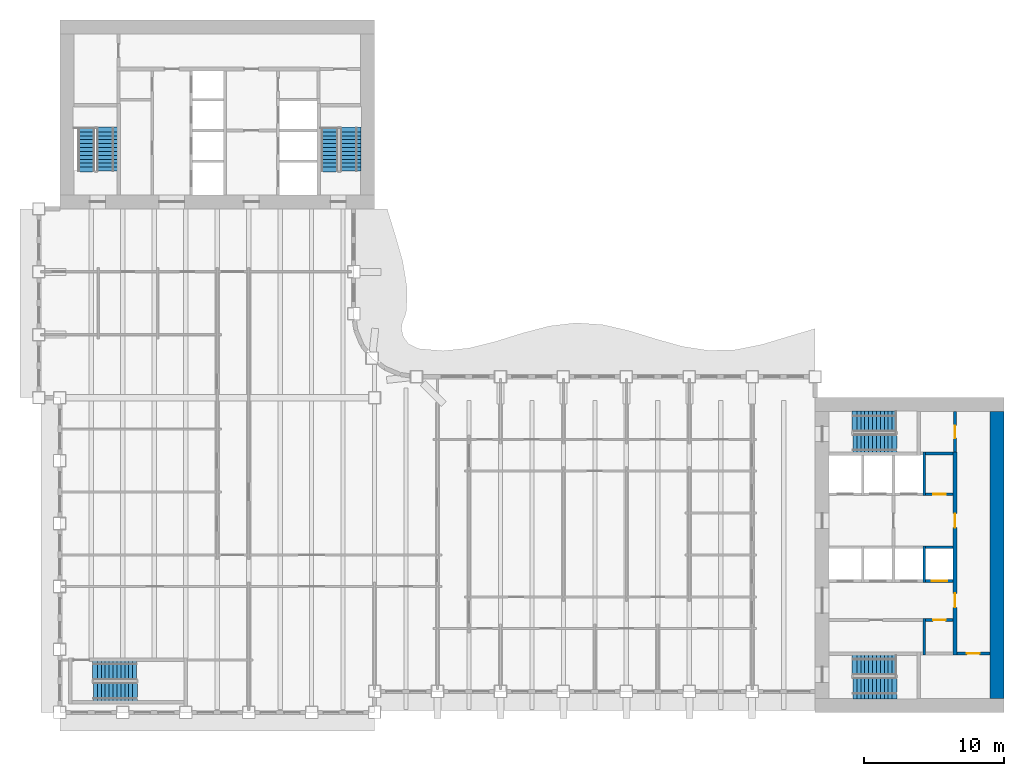
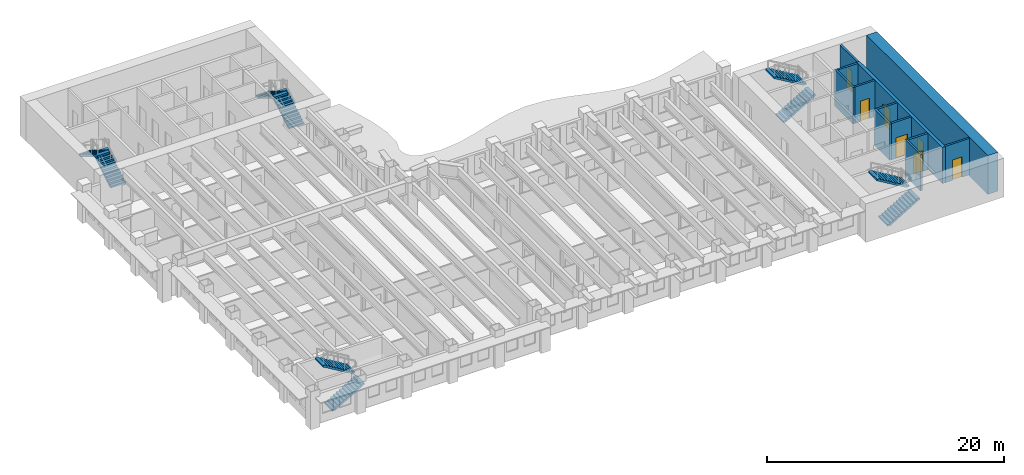
# One storey, part 10 of 16: 12 walls, 10 stair flights, 7 doors, 7 openings, 5 elements without a shape of their own.
"""IFC4 building model written with IfcOpenShell, lengths in metres."""

import ifcopenshell
import ifcopenshell.guid

model = None  # the IFC model being written
_history = None  # IfcOwnerHistory: only IFC2X3 demands one
_inside = {}  # id of a spatial element -> (the spatial element, [elements in it])
_under = {}  # id of a project, library or spatial element -> (it, [spatial elements below it])
_declared = {}  # id of a project -> (the project, [libraries it declares])
_typed = {}  # id of a type object -> (the type object, [elements of that type])
_made_of = {}  # id of a material, layer set ... -> (it, [elements and type objects made of it])


def new_model(schema):
    """Start an empty IFC model of exactly this schema.

    Asked for "IFC4X3", IfcOpenShell would pick the latest addendum, in which some entities
    have other attributes; the version numbers below select the first issue.
    IFC2X3 requires an IfcOwnerHistory on every rooted entity: one is made here for all.
    """
    global model, _history
    if schema == "IFC4X3":
        model = ifcopenshell.file(schema_version=(4, 3, 0, 0))
    else:
        model = ifcopenshell.file(schema=schema)
    _inside.clear()
    _under.clear()
    _declared.clear()
    _typed.clear()
    _made_of.clear()
    _history = None
    if model.schema == "IFC2X3":
        org = make("IfcOrganization", Name="unknown")
        user = make(
            "IfcPersonAndOrganization",
            ThePerson=make("IfcPerson", FamilyName="unknown"),
            TheOrganization=org,
        )
        app = make(
            "IfcApplication",
            ApplicationDeveloper=org,
            Version="unknown",
            ApplicationFullName="unknown",
            ApplicationIdentifier="unknown",
        )
        _history = make(
            "IfcOwnerHistory",
            OwningUser=user,
            OwningApplication=app,
            ChangeAction="ADDED",
            CreationDate=0,
        )
    return model


def make(cls, **values):
    """One entity of the class cls with the attributes given. An attribute that is None is left unset."""
    return model.create_entity(
        cls, **{name: value for name, value in values.items() if value is not None}
    )


def rooted(cls, **values):
    """An entity with a GlobalId (a new one), such as an element, a storey or a relation."""
    return make(cls, GlobalId=ifcopenshell.guid.new(), OwnerHistory=_history, **values)


def si_unit(unit_type, name, prefix=None):
    """IfcSIUnit, for example si_unit("LENGTHUNIT", "METRE", prefix="MILLI")."""
    return make("IfcSIUnit", UnitType=unit_type, Prefix=prefix, Name=name)


def assignment(units):
    """IfcUnitAssignment: the units of a project."""
    return None if units is None else make("IfcUnitAssignment", Units=units)


def point(xyz):
    """IfcCartesianPoint."""
    return None if xyz is None else make("IfcCartesianPoint", Coordinates=xyz)


def direction(xyz):
    """IfcDirection."""
    return None if xyz is None else make("IfcDirection", DirectionRatios=xyz)


def frame(location, z_axis=None, x_axis=None):
    """IfcAxis2Placement3D, a coordinate frame: its origin and axes. An axis left out is left unset."""
    return make(
        "IfcAxis2Placement3D",
        Location=point(location),
        Axis=direction(z_axis),
        RefDirection=direction(x_axis),
    )


def frame_2d(location, x_axis=None):
    """IfcAxis2Placement2D, a coordinate frame in the plane: its origin and x axis."""
    return make(
        "IfcAxis2Placement2D", Location=point(location), RefDirection=direction(x_axis)
    )


def origin():
    """The frame at (0, 0, 0) with its axes left unset."""
    return frame((0.0, 0.0, 0.0))


def place(relative_to, where):
    """IfcLocalPlacement: puts the frame where relative to a parent placement (None: the world)."""
    return make(
        "IfcLocalPlacement", PlacementRelTo=relative_to, RelativePlacement=where
    )


def context(
    kind, dimensions, precision=None, world=None, true_north=None, identifier=None
):
    """IfcGeometricRepresentationContext, for example the 3D "Model" context."""
    return make(
        "IfcGeometricRepresentationContext",
        ContextIdentifier=identifier,
        ContextType=kind,
        CoordinateSpaceDimension=dimensions,
        Precision=precision,
        WorldCoordinateSystem=world,
        TrueNorth=true_north,
    )


def subcontext(parent, identifier, kind, view, scale=None):
    """IfcGeometricRepresentationSubContext, for example "Body" below "Model"."""
    return make(
        "IfcGeometricRepresentationSubContext",
        ContextIdentifier=identifier,
        ContextType=kind,
        ParentContext=parent,
        TargetScale=scale,
        TargetView=view,
    )


def project(units=None, contexts=None):
    """IfcProject with its units and contexts."""
    return rooted(
        "IfcProject",
        Name="project",
        RepresentationContexts=contexts,
        UnitsInContext=assignment(units),
    )


def spatial(cls, under=None, at=None, **own):
    """A site, building, storey or space (cls), placed at a placement, below another one or the project."""
    s = rooted(cls, ObjectPlacement=at, **own)
    if under is not None:
        _under.setdefault(under.id(), (under, []))[1].append(s)
    return s


def polyline(points):
    """IfcPolyline through the points."""
    return make("IfcPolyline", Points=[point(p) for p in points])


def profile(cls, at=None, kind="AREA", **sizes):
    """A parametric profile (cls). Its sizes go by their IFC names, for example OverallWidth=200.0."""
    return make(cls, ProfileType=kind, Position=at, **sizes)


def rectangle(**sizes):
    """IfcRectangleProfileDef."""
    return profile("IfcRectangleProfileDef", **sizes)


def outline(outer, holes=None, kind="AREA"):
    """IfcArbitraryClosedProfileDef: a profile drawn as a closed curve; with holes, ...WithVoids."""
    if holes is None:
        return make("IfcArbitraryClosedProfileDef", ProfileType=kind, OuterCurve=outer)
    return make(
        "IfcArbitraryProfileDefWithVoids",
        ProfileType=kind,
        OuterCurve=outer,
        InnerCurves=holes,
    )


def extrude(swept, where, along, depth):
    """IfcExtrudedAreaSolid: the profile swept, set in the frame where, extruded along a direction by depth."""
    return make(
        "IfcExtrudedAreaSolid",
        SweptArea=swept,
        Position=where,
        ExtrudedDirection=direction(along),
        Depth=depth,
    )


def shape(context_of_items, identifier, shape_type, items):
    """IfcShapeRepresentation: the items that make up one representation, for example the "Body"."""
    return make(
        "IfcShapeRepresentation",
        ContextOfItems=context_of_items,
        RepresentationIdentifier=identifier,
        RepresentationType=shape_type,
        Items=items,
    )


def material(Name=None, Category=None):
    """IfcMaterial."""
    return make("IfcMaterial", Name=Name, Category=Category)


def layer(
    of_material, thickness, ventilated=None, Name=None, Category=None, Priority=None
):
    """IfcMaterialLayer: one layer of a wall or slab, of a material (None: an air gap)."""
    return make(
        "IfcMaterialLayer",
        Material=of_material,
        LayerThickness=thickness,
        IsVentilated=ventilated,
        Name=Name,
        Category=Category,
        Priority=Priority,
    )


def layer_set(layers, Name=None):
    """IfcMaterialLayerSet."""
    return make("IfcMaterialLayerSet", MaterialLayers=layers, LayerSetName=Name)


def made_of(thing, what):
    """Note that an element or type object is made of a material, layer set ...; save() writes the relation."""
    if what is not None:
        _made_of.setdefault(what.id(), (what, []))[1].append(thing)
    return thing


def type_object(cls, material=None, **own):
    """A type object (cls), such as IfcWallType, which elements share."""
    return made_of(rooted(cls, **own), material)


def element(
    cls,
    number,
    at=None,
    inside=None,
    cuts=None,
    type_object=None,
    material=None,
    context=None,
    identifier="Body",
    shape_type=None,
    held_by="IfcProductDefinitionShape",
    body=None,
    shapes=None,
    **own,
):
    """One element of the class cls, such as IfcWall. Its Tag is "e" and its number.

    at: its placement. inside: the storey or other place that contains it. cuts: it is an
    opening in that element (IfcRelVoidsElement). A single representation is given by context,
    identifier, shape_type and body (its items); several are given by shapes. held_by: the class
    of the entity that holds the representations. save() writes the other relations.
    """
    e = rooted(cls, Tag="e%d" % number, ObjectPlacement=at, **own)
    if body is not None:
        shapes = [shape(context, identifier, shape_type, body)]
    if shapes is not None:
        e.Representation = make(held_by, Representations=shapes)
    if inside is not None:
        _inside.setdefault(inside.id(), (inside, []))[1].append(e)
    if cuts is not None:
        rooted(
            "IfcRelVoidsElement", RelatingBuildingElement=cuts, RelatedOpeningElement=e
        )
    if type_object is not None:
        _typed.setdefault(type_object.id(), (type_object, []))[1].append(e)
    return made_of(e, material)


def fill(opening, filler):
    """IfcRelFillsElement: the door or window that sits in an opening."""
    return rooted(
        "IfcRelFillsElement",
        RelatingOpeningElement=opening,
        RelatedBuildingElement=filler,
    )


def aggregate(whole, parts):
    """IfcRelAggregates: a whole, such as a stair, and the parts it consists of."""
    return rooted("IfcRelAggregates", RelatingObject=whole, RelatedObjects=parts)


def save(model, path):
    """Write the relations noted so far, then the file.

    IfcRelAggregates (storeys below a building ...), IfcRelContainedInSpatialStructure (elements
    in a storey), IfcRelDefinesByType, IfcRelAssociatesMaterial and IfcRelDeclares: one each for
    every whole, place, type object, material and project.
    """
    for whole, parts in _under.values():
        aggregate(whole, parts)
    for where, things in _inside.values():
        rooted(
            "IfcRelContainedInSpatialStructure",
            RelatedElements=things,
            RelatingStructure=where,
        )
    for kind, things in _typed.values():
        rooted("IfcRelDefinesByType", RelatedObjects=things, RelatingType=kind)
    for what, things in _made_of.values():
        rooted("IfcRelAssociatesMaterial", RelatedObjects=things, RelatingMaterial=what)
    for by, libraries in _declared.values():
        rooted("IfcRelDeclares", RelatingContext=by, RelatedDefinitions=libraries)
    model.write(path)


model = new_model("IFC4")

# Units and contexts
model_context = context("Model", 3, precision=1e-05, world=origin(), true_north=direction((0.0, 1.0)))
body_context = subcontext(model_context, "Body", "Model", "MODEL_VIEW")
ifc_project = project(units=[si_unit("LENGTHUNIT", "METRE"), si_unit("AREAUNIT", "SQUARE_METRE"), si_unit("VOLUMEUNIT", "CUBIC_METRE"), si_unit("PLANEANGLEUNIT", "RADIAN"), si_unit("MASSUNIT", "GRAM", prefix="KILO")], contexts=[model_context])

# Site, building, storey
site_placement = place(None, origin())
site = spatial("IfcSite", under=ifc_project, at=site_placement, CompositionType="ELEMENT")
building_placement = place(site_placement, origin())
building = spatial("IfcBuilding", under=site, at=building_placement, Name="Sennacour Bend Tower", CompositionType="ELEMENT")
storey_placement = place(building_placement, frame((0.0, 0.0, 183.0)))
storey = spatial("IfcBuildingStorey", under=building, at=storey_placement, Name="L42", CompositionType="ELEMENT", Elevation=183.0)

# Walls
ifc_material_1 = material(Name="Concrete C60/75", Category="concrete")
ifc_layer_1 = layer(ifc_material_1, 1.0, Name="Concrete C60/75", Category="concrete")
ifc_layer_set_1 = layer_set([ifc_layer_1], Name="Concrete C60/75")
wall_type_1 = type_object("IfcWallType", Name="Core wall 1000 C60/75", PredefinedType="SHEAR", material=ifc_layer_set_1)
wall_1_placement = place(storey_placement, frame((67.0, 1.0, -0.14990234375), z_axis=(0.0, 0.0, 1.0), x_axis=(0.0, 1.0, 0.0)))
element("IfcWall", 1, at=wall_1_placement, inside=storey, type_object=wall_type_1, Name="Core A wall L42 E", PredefinedType="SHEAR", context=body_context, shape_type="SweptSolid", body=[
    extrude(rectangle(XDim=20.5, YDim=1.0, at=frame_2d((10.25, 0.0))), origin(), (0.0, 0.0, 1.0), 4.0),
])
ifc_material_2 = material(Name="Fire-rated plasterboard partition on steel studs", Category="steel")
ifc_layer_2 = layer(ifc_material_2, 0.199951171875, Name="Fire-rated plasterboard partition on steel studs", Category="steel")
ifc_layer_set_2 = layer_set([ifc_layer_2], Name="Fire-rated plasterboard partition on steel studs")
wall_type_2 = type_object("IfcWallType", Name="Rated partition 200", PredefinedType="PARTITIONING", material=ifc_layer_set_2)
wall_2_placement = place(storey_placement, frame((61.800048828125, 4.10009765625, 0.0), z_axis=(0.0, 0.0, 1.0), x_axis=(0.0, 1.0, 0.0)))
element("IfcWall", 2, at=wall_2_placement, inside=storey, type_object=wall_type_2, Name="P-L42-W043", PredefinedType="PARTITIONING", context=body_context, shape_type="SweptSolid", body=[
    extrude(rectangle(XDim=2.599853515625, YDim=0.199951171875, at=frame_2d((1.2998046875, 0.0))), origin(), (0.0, 0.0, 1.0), 3.75),
])

# Wall, opening, door
wall_3_placement = place(storey_placement, frame((64.0, 18.60009765625, 0.0), z_axis=(0.0, 0.0, 1.0), x_axis=(0.0, 1.0, 0.0)))
wall_3 = element("IfcWall", 3, at=wall_3_placement, inside=storey, type_object=wall_type_2, Name="P-L42-W047", PredefinedType="PARTITIONING", context=body_context, shape_type="SweptSolid", body=[
    extrude(rectangle(XDim=2.89990234375, YDim=0.199951171875, at=frame_2d((1.449951171875, 0.0))), origin(), (0.0, 0.0, 1.0), 3.75),
])
opening_1_placement = place(wall_3_placement, frame((1.0, 0.0, 0.0)))
opening_1 = element("IfcOpeningElement", 4, at=opening_1_placement, cuts=wall_3, Name="Opening SV", PredefinedType="OPENING", context=body_context, shape_type="SweptSolid", body=[
    extrude(rectangle(XDim=0.89990234375, YDim=2.10009765625, at=frame_2d((0.449951171875, 1.050048828125))), frame((0.0, 0.10986328125, 0.0), z_axis=(0.0, -1.0, 0.0), x_axis=(1.0, 0.0, 0.0)), (0.0, 0.0, 1.0), 0.219970703125),
])
ifc_material_3 = material(Name="Painted steel", Category="steel")
door_type_1 = type_object("IfcDoorType", Name="DR-SERVICE-900", OperationType="NOTDEFINED", PredefinedType="DOOR", material=ifc_material_3)
door_1_placement = place(opening_1_placement, origin())
door_1 = element("IfcDoor", 5, at=door_1_placement, inside=storey, type_object=door_type_1, Name="Door", OperationType="SINGLE_SWING_LEFT", OverallHeight=2.10009765625, OverallWidth=0.89990234375, PredefinedType="DOOR", context=body_context, shape_type="SweptSolid", body=[
    extrude(rectangle(XDim=0.89990234375, YDim=2.10009765625, at=frame_2d((0.449951171875, 1.050048828125))), frame((0.0, 0.02490234375, 0.0), z_axis=(0.0, -1.0, 0.0), x_axis=(1.0, 0.0, 0.0)), (0.0, 0.0, 1.0), 0.050048828125),
])
fill(opening_1, door_1)

wall_4_placement = place(storey_placement, frame((64.14990234375, 4.199951171875, 0.0), z_axis=(0.0, 0.0, 1.0), x_axis=(1.0, 0.0, 0.0)))
wall_4 = element("IfcWall", 6, at=wall_4_placement, inside=storey, type_object=wall_type_2, Name="P-L42-W055c", PredefinedType="PARTITIONING", context=body_context, shape_type="SweptSolid", body=[
    extrude(rectangle(XDim=2.35009765625, YDim=0.199951171875, at=frame_2d((1.175048828125, 0.0))), origin(), (0.0, 0.0, 1.0), 3.75),
])
opening_2_placement = place(wall_4_placement, frame((0.7001953125, 0.0, 0.0)))
opening_2 = element("IfcOpeningElement", 7, at=opening_2_placement, cuts=wall_4, Name="Opening SV", PredefinedType="OPENING", context=body_context, shape_type="SweptSolid", body=[
    extrude(rectangle(XDim=0.89990234375, YDim=2.10009765625, at=frame_2d((0.449951171875, 1.050048828125))), frame((0.0, 0.10986328125, 0.0), z_axis=(0.0, -1.0, 0.0), x_axis=(1.0, 0.0, 0.0)), (0.0, 0.0, 1.0), 0.219970703125),
])
door_2_placement = place(opening_2_placement, origin())
door_2 = element("IfcDoor", 8, at=door_2_placement, inside=storey, type_object=door_type_1, Name="Door", OperationType="SINGLE_SWING_LEFT", OverallHeight=2.10009765625, OverallWidth=0.89990234375, PredefinedType="DOOR", context=body_context, shape_type="SweptSolid", body=[
    extrude(rectangle(XDim=0.89990234375, YDim=2.10009765625, at=frame_2d((0.449951171875, 1.050048828125))), frame((0.0, 0.02490234375, 0.0), z_axis=(0.0, -1.0, 0.0), x_axis=(1.0, 0.0, 0.0)), (0.0, 0.0, 1.0), 0.050048828125),
])
fill(opening_2, door_2)

wall_5_placement = place(storey_placement, frame((61.89990234375, 6.60009765625, 0.0), z_axis=(0.0, 0.0, 1.0), x_axis=(1.0, 0.0, 0.0)))
wall_5 = element("IfcWall", 9, at=wall_5_placement, inside=storey, type_object=wall_type_2, Name="P-L42-W057b", PredefinedType="PARTITIONING", context=body_context, shape_type="SweptSolid", body=[
    extrude(rectangle(XDim=1.9501953125, YDim=0.199951171875, at=frame_2d((0.97509765625, 0.0))), origin(), (0.0, 0.0, 1.0), 3.75),
])
opening_3_placement = place(wall_5_placement, frame((0.525146484375, 0.0, 0.0)))
opening_3 = element("IfcOpeningElement", 10, at=opening_3_placement, cuts=wall_5, Name="Opening SV", PredefinedType="OPENING", context=body_context, shape_type="SweptSolid", body=[
    extrude(rectangle(XDim=0.89990234375, YDim=2.10009765625, at=frame_2d((0.449951171875, 1.050048828125))), frame((0.0, 0.10986328125, 0.0), z_axis=(0.0, -1.0, 0.0), x_axis=(1.0, 0.0, 0.0)), (0.0, 0.0, 1.0), 0.219970703125),
])
door_3_placement = place(opening_3_placement, origin())
door_3 = element("IfcDoor", 11, at=door_3_placement, inside=storey, type_object=door_type_1, Name="Door", OperationType="SINGLE_SWING_RIGHT", OverallHeight=2.10009765625, OverallWidth=0.89990234375, PredefinedType="DOOR", context=body_context, shape_type="SweptSolid", body=[
    extrude(rectangle(XDim=0.89990234375, YDim=2.10009765625, at=frame_2d((0.449951171875, 1.050048828125))), frame((0.0, 0.02490234375, 0.0), z_axis=(0.0, -1.0, 0.0), x_axis=(1.0, 0.0, 0.0)), (0.0, 0.0, 1.0), 0.050048828125),
])
fill(opening_3, door_3)

wall_6_placement = place(storey_placement, frame((61.89990234375, 15.60009765625, 0.0), z_axis=(0.0, 0.0, 1.0), x_axis=(1.0, 0.0, 0.0)))
wall_6 = element("IfcWall", 12, at=wall_6_placement, inside=storey, type_object=wall_type_2, Name="P-L42-W066", PredefinedType="PARTITIONING", context=body_context, shape_type="SweptSolid", body=[
    extrude(rectangle(XDim=1.9501953125, YDim=0.199951171875, at=frame_2d((0.97509765625, 0.0))), origin(), (0.0, 0.0, 1.0), 3.75),
])
opening_4_placement = place(wall_6_placement, frame((0.525146484375, 0.0, 0.0)))
opening_4 = element("IfcOpeningElement", 13, at=opening_4_placement, cuts=wall_6, Name="Opening SV", PredefinedType="OPENING", context=body_context, shape_type="SweptSolid", body=[
    extrude(rectangle(XDim=0.89990234375, YDim=2.10009765625, at=frame_2d((0.449951171875, 1.050048828125))), frame((0.0, 0.10986328125, 0.0), z_axis=(0.0, -1.0, 0.0), x_axis=(1.0, 0.0, 0.0)), (0.0, 0.0, 1.0), 0.219970703125),
])
door_4_placement = place(opening_4_placement, origin())
door_4 = element("IfcDoor", 14, at=door_4_placement, inside=storey, type_object=door_type_1, Name="Door", OperationType="SINGLE_SWING_LEFT", OverallHeight=2.10009765625, OverallWidth=0.89990234375, PredefinedType="DOOR", context=body_context, shape_type="SweptSolid", body=[
    extrude(rectangle(XDim=0.89990234375, YDim=2.10009765625, at=frame_2d((0.449951171875, 1.050048828125))), frame((0.0, 0.02490234375, 0.0), z_axis=(0.0, -1.0, 0.0), x_axis=(1.0, 0.0, 0.0)), (0.0, 0.0, 1.0), 0.050048828125),
])
fill(opening_4, door_4)

# Walls
wall_7_placement = place(storey_placement, frame((61.89990234375, 18.5, 0.0), z_axis=(0.0, 0.0, 1.0), x_axis=(1.0, 0.0, 0.0)))
element("IfcWall", 15, at=wall_7_placement, inside=storey, type_object=wall_type_2, Name="P-L42-W071", PredefinedType="PARTITIONING", context=body_context, shape_type="SweptSolid", body=[
    extrude(rectangle(XDim=1.9501953125, YDim=0.199951171875, at=frame_2d((0.97509765625, 0.0))), origin(), (0.0, 0.0, 1.0), 3.75),
])
ifc_material_4 = material(Name="Concrete C50/60", Category="concrete")
ifc_layer_3 = layer(ifc_material_4, 0.199951171875, Name="Concrete C50/60", Category="concrete")
ifc_layer_set_3 = layer_set([ifc_layer_3], Name="Concrete C50/60")
wall_type_3 = type_object("IfcWallType", Name="Shaft wall 200", PredefinedType="SOLIDWALL", material=ifc_layer_set_3)
wall_8_placement = place(storey_placement, frame((61.800048828125, 9.300048828125, 0.0), z_axis=(0.0, 0.0, 1.0), x_axis=(0.0, 1.0, 0.0)))
element("IfcWall", 16, at=wall_8_placement, inside=storey, type_object=wall_type_3, Name="P-L42-W044", PredefinedType="SOLIDWALL", context=body_context, shape_type="SweptSolid", body=[
    extrude(rectangle(XDim=2.599853515625, YDim=0.199951171875, at=frame_2d((1.2998046875, 0.0))), origin(), (0.0, 0.0, 1.0), 3.75),
])
wall_9_placement = place(storey_placement, frame((61.800048828125, 15.5, 0.0), z_axis=(0.0, 0.0, 1.0), x_axis=(0.0, 1.0, 0.0)))
element("IfcWall", 17, at=wall_9_placement, inside=storey, type_object=wall_type_3, Name="P-L42-W045", PredefinedType="SOLIDWALL", context=body_context, shape_type="SweptSolid", body=[
    extrude(rectangle(XDim=3.10009765625, YDim=0.199951171875, at=frame_2d((1.550048828125, 0.0))), origin(), (0.0, 0.0, 1.0), 3.75),
])

# Wall, opening, door
wall_10_placement = place(storey_placement, frame((61.89990234375, 9.39990234375, 0.0), z_axis=(0.0, 0.0, 1.0), x_axis=(1.0, 0.0, 0.0)))
wall_10 = element("IfcWall", 18, at=wall_10_placement, inside=storey, type_object=wall_type_3, Name="P-L42-W060d", PredefinedType="SOLIDWALL", context=body_context, shape_type="SweptSolid", body=[
    extrude(rectangle(XDim=1.9501953125, YDim=0.199951171875, at=frame_2d((0.97509765625, 0.0))), origin(), (0.0, 0.0, 1.0), 3.75),
])
opening_5_placement = place(wall_10_placement, frame((0.425048828125, 0.0, 0.011962890625)))
opening_5 = element("IfcOpeningElement", 19, at=opening_5_placement, cuts=wall_10, Name="Opening LD", PredefinedType="OPENING", context=body_context, shape_type="SweptSolid", body=[
    extrude(rectangle(XDim=1.10009765625, YDim=2.10009765625, at=frame_2d((0.550048828125, 1.050048828125))), frame((0.0, 0.10986328125, 0.0), z_axis=(0.0, -1.0, 0.0), x_axis=(1.0, 0.0, 0.0)), (0.0, 0.0, 1.0), 0.219970703125),
])
ifc_material_5 = material(Name="Stainless steel", Category="steel")
door_type_2 = type_object("IfcDoorType", Name="DR-LANDING-1100", OperationType="NOTDEFINED", PredefinedType="DOOR", material=ifc_material_5)
door_5_placement = place(opening_5_placement, origin())
door_5 = element("IfcDoor", 20, at=door_5_placement, inside=storey, type_object=door_type_2, Name="Lift landing door HA4", OperationType="SLIDING_TO_RIGHT", OverallHeight=2.10009765625, OverallWidth=1.10009765625, PredefinedType="DOOR", context=body_context, shape_type="SweptSolid", body=[
    extrude(rectangle(XDim=1.10009765625, YDim=2.10009765625, at=frame_2d((0.550048828125, 1.050048828125))), frame((0.0, 0.02490234375, 0.0), z_axis=(0.0, -1.0, 0.0), x_axis=(1.0, 0.0, 0.0)), (0.0, 0.0, 1.0), 0.050048828125),
])
fill(opening_5, door_5)

# Wall
wall_11_placement = place(storey_placement, frame((61.89990234375, 11.800048828125, 0.0), z_axis=(0.0, 0.0, 1.0), x_axis=(1.0, 0.0, 0.0)))
element("IfcWall", 21, at=wall_11_placement, inside=storey, type_object=wall_type_3, Name="P-L42-W063d", PredefinedType="SOLIDWALL", context=body_context, shape_type="SweptSolid", body=[
    extrude(rectangle(XDim=1.9501953125, YDim=0.199951171875, at=frame_2d((0.97509765625, 0.0))), origin(), (0.0, 0.0, 1.0), 3.75),
])

# Wall, openings, doors
ifc_layer_4 = layer(ifc_material_1, 0.300048828125, Name="Concrete C60/75", Category="concrete")
ifc_layer_set_4 = layer_set([ifc_layer_4], Name="Concrete C60/75")
wall_type_4 = type_object("IfcWallType", Name="Spine wall 300", PredefinedType="SHEAR", material=ifc_layer_set_4)
wall_12_placement = place(storey_placement, frame((64.0, 4.10009765625, 0.0), z_axis=(0.0, 0.0, 1.0), x_axis=(0.0, 1.0, 0.0)))
wall_12 = element("IfcWall", 22, at=wall_12_placement, inside=storey, type_object=wall_type_4, Name="P-L42-W046", PredefinedType="SHEAR", context=body_context, shape_type="SweptSolid", body=[
    extrude(rectangle(XDim=14.5, YDim=0.300048828125, at=frame_2d((7.25, 0.0))), origin(), (0.0, 0.0, 1.0), 3.75),
])
opening_6_placement = place(wall_12_placement, frame((3.39990234375, 0.0, 0.0)))
opening_6 = element("IfcOpeningElement", 23, at=opening_6_placement, cuts=wall_12, Name="Opening CD2", PredefinedType="OPENING", context=body_context, shape_type="SweptSolid", body=[
    extrude(rectangle(XDim=1.0, YDim=2.10009765625, at=frame_2d((0.5, 1.050048828125))), frame((0.0, 0.16015625, 0.0), z_axis=(0.0, -1.0, 0.0), x_axis=(1.0, 0.0, 0.0)), (0.0, 0.0, 1.0), 0.320068359375),
])
opening_7_placement = place(wall_12_placement, frame((9.099853515625, 0.0, 0.0)))
opening_7 = element("IfcOpeningElement", 24, at=opening_7_placement, cuts=wall_12, Name="Opening CD2", PredefinedType="OPENING", context=body_context, shape_type="SweptSolid", body=[
    extrude(rectangle(XDim=1.0, YDim=2.10009765625, at=frame_2d((0.5, 1.050048828125))), frame((0.0, 0.16015625, 0.0), z_axis=(0.0, -1.0, 0.0), x_axis=(1.0, 0.0, 0.0)), (0.0, 0.0, 1.0), 0.320068359375),
])
door_type_3 = type_object("IfcDoorType", Name="DR-LOBBY-1000", OperationType="NOTDEFINED", PredefinedType="DOOR", material=ifc_material_3)
door_6_placement = place(opening_6_placement, origin())
door_6 = element("IfcDoor", 25, at=door_6_placement, inside=storey, type_object=door_type_3, Name="Door", OperationType="SINGLE_SWING_LEFT", OverallHeight=2.10009765625, OverallWidth=1.0, PredefinedType="DOOR", context=body_context, shape_type="SweptSolid", body=[
    extrude(rectangle(XDim=1.0, YDim=2.10009765625, at=frame_2d((0.5, 1.050048828125))), frame((0.0, 0.02490234375, 0.0), z_axis=(0.0, -1.0, 0.0), x_axis=(1.0, 0.0, 0.0)), (0.0, 0.0, 1.0), 0.050048828125),
])
fill(opening_6, door_6)
door_7_placement = place(opening_7_placement, origin())
door_7 = element("IfcDoor", 26, at=door_7_placement, inside=storey, type_object=door_type_3, Name="Door", OperationType="SINGLE_SWING_RIGHT", OverallHeight=2.10009765625, OverallWidth=1.0, PredefinedType="DOOR", context=body_context, shape_type="SweptSolid", body=[
    extrude(rectangle(XDim=1.0, YDim=2.10009765625, at=frame_2d((0.5, 1.050048828125))), frame((0.0, 0.02490234375, 0.0), z_axis=(0.0, -1.0, 0.0), x_axis=(1.0, 0.0, 0.0)), (0.0, 0.0, 1.0), 0.050048828125),
])
fill(opening_7, door_7)

# Stair, stair flights
ifc_material_6 = material(Name="Concrete C40/50", Category="concrete")
stair_type = type_object("IfcStairType", Name="ST-DOGLEG", PredefinedType="HALF_TURN_STAIR", material=ifc_material_6)
stair_1_placement = place(storey_placement, origin())
stair_1 = element("IfcStair", 27, at=stair_1_placement, inside=storey, type_object=stair_type, Name="L42 Exit stair A1", PredefinedType="HALF_TURN_STAIR")
stair_flight_type = type_object("IfcStairFlightType", Name="SFL-RC", PredefinedType="STRAIGHT", material=ifc_material_6)
stair_flight_1_placement = place(storey_placement, frame((56.699951171875, 1.735107421875, 0.0), z_axis=(0.0, 0.0, 1.0), x_axis=(1.0, 0.0, 0.0)))
stair_flight_1 = element("IfcStairFlight", 28, at=stair_flight_1_placement, type_object=stair_flight_type, Name="SA1 flight 1", NumberOfRisers=12, NumberOfTreads=11, PredefinedType="STRAIGHT", RiserHeight=0.166666667, TreadLength=0.28, context=body_context, shape_type="SweptSolid", body=[
    extrude(outline(polyline([(0.0, 0.0), (0.0, 0.166748046875), (0.280029296875, 0.166748046875), (0.280029296875, 0.333251953125), (0.56005859375, 0.333251953125), (0.56005859375, 0.5), (0.840087890625, 0.5), (0.840087890625, 0.666748046875), (1.1201171875, 0.666748046875), (1.1201171875, 0.833251953125), (1.39990234375, 0.833251953125), (1.39990234375, 1.0), (1.679931640625, 1.0), (1.679931640625, 1.166748046875), (1.9599609375, 1.166748046875), (1.9599609375, 1.333251953125), (2.239990234375, 1.333251953125), (2.239990234375, 1.5), (2.52001953125, 1.5), (2.52001953125, 1.666748046875), (2.800048828125, 1.666748046875), (2.800048828125, 1.833251953125), (3.080078125, 1.833251953125), (3.139892578125, 1.833251953125), (3.139892578125, 1.658935546875), (3.080078125, 1.658935546875), (0.29296875, 0.0), (0.0, 0.0)])), frame((0.0, 0.76513671875, 0.0), z_axis=(0.0, -1.0, 0.0), x_axis=(1.0, 0.0, 0.0)), (0.0, 0.0, 1.0), 1.530029296875),
])
stair_flight_2_placement = place(storey_placement, frame((59.780029296875, 3.37744140625, 2.0), z_axis=(0.0, 0.0, 1.0), x_axis=(-1.0, 0.0, 0.0)))
stair_flight_2 = element("IfcStairFlight", 29, at=stair_flight_2_placement, type_object=stair_flight_type, Name="SA1 flight 2", NumberOfRisers=12, NumberOfTreads=11, PredefinedType="STRAIGHT", RiserHeight=0.166666667, TreadLength=0.28, context=body_context, shape_type="SweptSolid", body=[
    extrude(outline(polyline([(0.0, 0.0), (0.0, 0.166748046875), (0.280029296875, 0.166748046875), (0.280029296875, 0.333251953125), (0.56005859375, 0.333251953125), (0.56005859375, 0.5), (0.840087890625, 0.5), (0.840087890625, 0.666748046875), (1.1201171875, 0.666748046875), (1.1201171875, 0.833251953125), (1.39990234375, 0.833251953125), (1.39990234375, 1.0), (1.679931640625, 1.0), (1.679931640625, 1.166748046875), (1.9599609375, 1.166748046875), (1.9599609375, 1.333251953125), (2.239990234375, 1.333251953125), (2.239990234375, 1.5), (2.52001953125, 1.5), (2.52001953125, 1.666748046875), (2.800048828125, 1.666748046875), (2.800048828125, 1.833251953125), (3.080078125, 1.833251953125), (3.139892578125, 1.833251953125), (3.139892578125, 1.658935546875), (3.080078125, 1.658935546875), (0.29296875, 0.0), (0.0, 0.0)])), frame((0.0, 0.7275390625, 0.0), z_axis=(0.0, -1.0, 0.0), x_axis=(1.0, 0.0, 0.0)), (0.0, 0.0, 1.0), 1.455078125),
])
aggregate(stair_1, [stair_flight_1, stair_flight_2])

stair_2_placement = place(storey_placement, origin())
stair_2 = element("IfcStair", 30, at=stair_2_placement, inside=storey, type_object=stair_type, Name="L42 Exit stair A2", PredefinedType="HALF_TURN_STAIR")
stair_flight_3_placement = place(storey_placement, frame((56.699951171875, 19.24755859375, 0.0), z_axis=(0.0, 0.0, 1.0), x_axis=(1.0, 0.0, 0.0)))
stair_flight_3 = element("IfcStairFlight", 31, at=stair_flight_3_placement, type_object=stair_flight_type, Name="SA2 flight 1", NumberOfRisers=12, NumberOfTreads=11, PredefinedType="STRAIGHT", RiserHeight=0.166666667, TreadLength=0.28, context=body_context, shape_type="SweptSolid", body=[
    extrude(outline(polyline([(0.0, 0.0), (0.0, 0.166748046875), (0.280029296875, 0.166748046875), (0.280029296875, 0.333251953125), (0.56005859375, 0.333251953125), (0.56005859375, 0.5), (0.840087890625, 0.5), (0.840087890625, 0.666748046875), (1.1201171875, 0.666748046875), (1.1201171875, 0.833251953125), (1.39990234375, 0.833251953125), (1.39990234375, 1.0), (1.679931640625, 1.0), (1.679931640625, 1.166748046875), (1.9599609375, 1.166748046875), (1.9599609375, 1.333251953125), (2.239990234375, 1.333251953125), (2.239990234375, 1.5), (2.52001953125, 1.5), (2.52001953125, 1.666748046875), (2.800048828125, 1.666748046875), (2.800048828125, 1.833251953125), (3.080078125, 1.833251953125), (3.139892578125, 1.833251953125), (3.139892578125, 1.658935546875), (3.080078125, 1.658935546875), (0.29296875, 0.0), (0.0, 0.0)])), frame((0.0, 0.65234375, 0.0), z_axis=(0.0, -1.0, 0.0), x_axis=(1.0, 0.0, 0.0)), (0.0, 0.0, 1.0), 1.304931640625),
])
stair_flight_4_placement = place(storey_placement, frame((59.780029296875, 20.7900390625, 2.0), z_axis=(0.0, 0.0, 1.0), x_axis=(-1.0, 0.0, 0.0)))
stair_flight_4 = element("IfcStairFlight", 32, at=stair_flight_4_placement, type_object=stair_flight_type, Name="SA2 flight 2", NumberOfRisers=12, NumberOfTreads=11, PredefinedType="STRAIGHT", RiserHeight=0.166666667, TreadLength=0.28, context=body_context, shape_type="SweptSolid", body=[
    extrude(outline(polyline([(0.0, 0.0), (0.0, 0.166748046875), (0.280029296875, 0.166748046875), (0.280029296875, 0.333251953125), (0.56005859375, 0.333251953125), (0.56005859375, 0.5), (0.840087890625, 0.5), (0.840087890625, 0.666748046875), (1.1201171875, 0.666748046875), (1.1201171875, 0.833251953125), (1.39990234375, 0.833251953125), (1.39990234375, 1.0), (1.679931640625, 1.0), (1.679931640625, 1.166748046875), (1.9599609375, 1.166748046875), (1.9599609375, 1.333251953125), (2.239990234375, 1.333251953125), (2.239990234375, 1.5), (2.52001953125, 1.5), (2.52001953125, 1.666748046875), (2.800048828125, 1.666748046875), (2.800048828125, 1.833251953125), (3.080078125, 1.833251953125), (3.139892578125, 1.833251953125), (3.139892578125, 1.658935546875), (3.080078125, 1.658935546875), (0.29296875, 0.0), (0.0, 0.0)])), frame((0.0, 0.739990234375, 0.0), z_axis=(0.0, -1.0, 0.0), x_axis=(1.0, 0.0, 0.0)), (0.0, 0.0, 1.0), 1.47998046875),
])
aggregate(stair_2, [stair_flight_3, stair_flight_4])

stair_3_placement = place(storey_placement, origin())
stair_3 = element("IfcStair", 33, at=stair_3_placement, inside=storey, type_object=stair_type, Name="L42 Exit stair B1", PredefinedType="HALF_TURN_STAIR")
stair_flight_5_placement = place(storey_placement, frame((3.37744140625, 38.699951171875, 0.0), z_axis=(0.0, 0.0, 1.0), x_axis=(0.0, 1.0, 0.0)))
stair_flight_5 = element("IfcStairFlight", 34, at=stair_flight_5_placement, type_object=stair_flight_type, Name="SB1 flight 1", NumberOfRisers=12, NumberOfTreads=11, PredefinedType="STRAIGHT", RiserHeight=0.166666667, TreadLength=0.28, context=body_context, shape_type="SweptSolid", body=[
    extrude(outline(polyline([(0.0, 0.0), (0.0, 0.166748046875), (0.280029296875, 0.166748046875), (0.280029296875, 0.333251953125), (0.56005859375, 0.333251953125), (0.56005859375, 0.5), (0.840087890625, 0.5), (0.840087890625, 0.666748046875), (1.1201171875, 0.666748046875), (1.1201171875, 0.833251953125), (1.39990234375, 0.833251953125), (1.39990234375, 1.0), (1.679931640625, 1.0), (1.679931640625, 1.166748046875), (1.9599609375, 1.166748046875), (1.9599609375, 1.333251953125), (2.239990234375, 1.333251953125), (2.239990234375, 1.5), (2.52001953125, 1.5), (2.52001953125, 1.666748046875), (2.800048828125, 1.666748046875), (2.800048828125, 1.833251953125), (3.080078125, 1.833251953125), (3.139892578125, 1.833251953125), (3.139892578125, 1.658935546875), (3.080078125, 1.658935546875), (0.29296875, 0.0), (0.0, 0.0)])), frame((0.0, 0.7275390625, 0.0), z_axis=(0.0, -1.0, 0.0), x_axis=(1.0, 0.0, 0.0)), (0.0, 0.0, 1.0), 1.455078125),
])
stair_flight_6_placement = place(storey_placement, frame((1.89990234375, 41.780029296875, 2.0), z_axis=(0.0, 0.0, 1.0), x_axis=(0.0, -1.0, 0.0)))
stair_flight_6 = element("IfcStairFlight", 35, at=stair_flight_6_placement, type_object=stair_flight_type, Name="SB1 flight 2", NumberOfRisers=12, NumberOfTreads=11, PredefinedType="STRAIGHT", RiserHeight=0.166666667, TreadLength=0.28, context=body_context, shape_type="SweptSolid", body=[
    extrude(outline(polyline([(0.0, 0.0), (0.0, 0.166748046875), (0.280029296875, 0.166748046875), (0.280029296875, 0.333251953125), (0.56005859375, 0.333251953125), (0.56005859375, 0.5), (0.840087890625, 0.5), (0.840087890625, 0.666748046875), (1.1201171875, 0.666748046875), (1.1201171875, 0.833251953125), (1.39990234375, 0.833251953125), (1.39990234375, 1.0), (1.679931640625, 1.0), (1.679931640625, 1.166748046875), (1.9599609375, 1.166748046875), (1.9599609375, 1.333251953125), (2.239990234375, 1.333251953125), (2.239990234375, 1.5), (2.52001953125, 1.5), (2.52001953125, 1.666748046875), (2.800048828125, 1.666748046875), (2.800048828125, 1.833251953125), (3.080078125, 1.833251953125), (3.139892578125, 1.833251953125), (3.139892578125, 1.658935546875), (3.080078125, 1.658935546875), (0.29296875, 0.0), (0.0, 0.0)])), frame((0.0, 0.60009765625, 0.0), z_axis=(0.0, -1.0, 0.0), x_axis=(1.0, 0.0, 0.0)), (0.0, 0.0, 1.0), 1.199951171875),
])
aggregate(stair_3, [stair_flight_5, stair_flight_6])

stair_4_placement = place(storey_placement, origin())
stair_4 = element("IfcStair", 36, at=stair_4_placement, inside=storey, type_object=stair_type, Name="L42 Exit stair B2", PredefinedType="HALF_TURN_STAIR")
stair_flight_7_placement = place(storey_placement, frame((20.7900390625, 38.699951171875, 0.0), z_axis=(0.0, 0.0, 1.0), x_axis=(0.0, 1.0, 0.0)))
stair_flight_7 = element("IfcStairFlight", 37, at=stair_flight_7_placement, type_object=stair_flight_type, Name="SB2 flight 1", NumberOfRisers=12, NumberOfTreads=11, PredefinedType="STRAIGHT", RiserHeight=0.166666667, TreadLength=0.28, context=body_context, shape_type="SweptSolid", body=[
    extrude(outline(polyline([(0.0, 0.0), (0.0, 0.166748046875), (0.280029296875, 0.166748046875), (0.280029296875, 0.333251953125), (0.56005859375, 0.333251953125), (0.56005859375, 0.5), (0.840087890625, 0.5), (0.840087890625, 0.666748046875), (1.1201171875, 0.666748046875), (1.1201171875, 0.833251953125), (1.39990234375, 0.833251953125), (1.39990234375, 1.0), (1.679931640625, 1.0), (1.679931640625, 1.166748046875), (1.9599609375, 1.166748046875), (1.9599609375, 1.333251953125), (2.239990234375, 1.333251953125), (2.239990234375, 1.5), (2.52001953125, 1.5), (2.52001953125, 1.666748046875), (2.800048828125, 1.666748046875), (2.800048828125, 1.833251953125), (3.080078125, 1.833251953125), (3.139892578125, 1.833251953125), (3.139892578125, 1.658935546875), (3.080078125, 1.658935546875), (0.29296875, 0.0), (0.0, 0.0)])), frame((0.0, 0.739990234375, 0.0), z_axis=(0.0, -1.0, 0.0), x_axis=(1.0, 0.0, 0.0)), (0.0, 0.0, 1.0), 1.47998046875),
])
stair_flight_8_placement = place(storey_placement, frame((19.24755859375, 41.780029296875, 2.0), z_axis=(0.0, 0.0, 1.0), x_axis=(0.0, -1.0, 0.0)))
stair_flight_8 = element("IfcStairFlight", 38, at=stair_flight_8_placement, type_object=stair_flight_type, Name="SB2 flight 2", NumberOfRisers=12, NumberOfTreads=11, PredefinedType="STRAIGHT", RiserHeight=0.166666667, TreadLength=0.28, context=body_context, shape_type="SweptSolid", body=[
    extrude(outline(polyline([(0.0, 0.0), (0.0, 0.166748046875), (0.280029296875, 0.166748046875), (0.280029296875, 0.333251953125), (0.56005859375, 0.333251953125), (0.56005859375, 0.5), (0.840087890625, 0.5), (0.840087890625, 0.666748046875), (1.1201171875, 0.666748046875), (1.1201171875, 0.833251953125), (1.39990234375, 0.833251953125), (1.39990234375, 1.0), (1.679931640625, 1.0), (1.679931640625, 1.166748046875), (1.9599609375, 1.166748046875), (1.9599609375, 1.333251953125), (2.239990234375, 1.333251953125), (2.239990234375, 1.5), (2.52001953125, 1.5), (2.52001953125, 1.666748046875), (2.800048828125, 1.666748046875), (2.800048828125, 1.833251953125), (3.080078125, 1.833251953125), (3.139892578125, 1.833251953125), (3.139892578125, 1.658935546875), (3.080078125, 1.658935546875), (0.29296875, 0.0), (0.0, 0.0)])), frame((0.0, 0.65234375, 0.0), z_axis=(0.0, -1.0, 0.0), x_axis=(1.0, 0.0, 0.0)), (0.0, 0.0, 1.0), 1.304931640625),
])
aggregate(stair_4, [stair_flight_7, stair_flight_8])

stair_5_placement = place(storey_placement, origin())
stair_5 = element("IfcStair", 39, at=stair_5_placement, inside=storey, type_object=stair_type, Name="L42 Exit stair K1", PredefinedType="HALF_TURN_STAIR")
stair_flight_9_placement = place(storey_placement, frame((2.39990234375, 1.485107421875, 0.0), z_axis=(0.0, 0.0, 1.0), x_axis=(1.0, 0.0, 0.0)))
stair_flight_9 = element("IfcStairFlight", 40, at=stair_flight_9_placement, type_object=stair_flight_type, Name="SK1 flight 1", NumberOfRisers=12, NumberOfTreads=11, PredefinedType="STRAIGHT", RiserHeight=0.166666667, TreadLength=0.28, context=body_context, shape_type="SweptSolid", body=[
    extrude(outline(polyline([(0.0, 0.0), (0.0, 0.166748046875), (0.280029296875, 0.166748046875), (0.280029296875, 0.333251953125), (0.56005859375, 0.333251953125), (0.56005859375, 0.5), (0.840087890625, 0.5), (0.840087890625, 0.666748046875), (1.1201171875, 0.666748046875), (1.1201171875, 0.833251953125), (1.39990234375, 0.833251953125), (1.39990234375, 1.0), (1.679931640625, 1.0), (1.679931640625, 1.166748046875), (1.9599609375, 1.166748046875), (1.9599609375, 1.333251953125), (2.239990234375, 1.333251953125), (2.239990234375, 1.5), (2.52001953125, 1.5), (2.52001953125, 1.666748046875), (2.800048828125, 1.666748046875), (2.800048828125, 1.833251953125), (3.080078125, 1.833251953125), (3.139892578125, 1.833251953125), (3.139892578125, 1.658935546875), (3.080078125, 1.658935546875), (0.29296875, 0.0), (0.0, 0.0)])), frame((0.0, 0.6650390625, 0.0), z_axis=(0.0, -1.0, 0.0), x_axis=(1.0, 0.0, 0.0)), (0.0, 0.0, 1.0), 1.330078125),
])
stair_flight_10_placement = place(storey_placement, frame((5.47998046875, 2.9775390625, 2.0), z_axis=(0.0, 0.0, 1.0), x_axis=(-1.0, 0.0, 0.0)))
stair_flight_10 = element("IfcStairFlight", 41, at=stair_flight_10_placement, type_object=stair_flight_type, Name="SK1 flight 2", NumberOfRisers=12, NumberOfTreads=11, PredefinedType="STRAIGHT", RiserHeight=0.166666667, TreadLength=0.28, context=body_context, shape_type="SweptSolid", body=[
    extrude(outline(polyline([(0.0, 0.0), (0.0, 0.166748046875), (0.280029296875, 0.166748046875), (0.280029296875, 0.333251953125), (0.56005859375, 0.333251953125), (0.56005859375, 0.5), (0.840087890625, 0.5), (0.840087890625, 0.666748046875), (1.1201171875, 0.666748046875), (1.1201171875, 0.833251953125), (1.39990234375, 0.833251953125), (1.39990234375, 1.0), (1.679931640625, 1.0), (1.679931640625, 1.166748046875), (1.9599609375, 1.166748046875), (1.9599609375, 1.333251953125), (2.239990234375, 1.333251953125), (2.239990234375, 1.5), (2.52001953125, 1.5), (2.52001953125, 1.666748046875), (2.800048828125, 1.666748046875), (2.800048828125, 1.833251953125), (3.080078125, 1.833251953125), (3.139892578125, 1.833251953125), (3.139892578125, 1.658935546875), (3.080078125, 1.658935546875), (0.29296875, 0.0), (0.0, 0.0)])), frame((0.0, 0.677490234375, 0.0), z_axis=(0.0, -1.0, 0.0), x_axis=(1.0, 0.0, 0.0)), (0.0, 0.0, 1.0), 1.35498046875),
])
aggregate(stair_5, [stair_flight_9, stair_flight_10])

save(model, "model.ifc")
